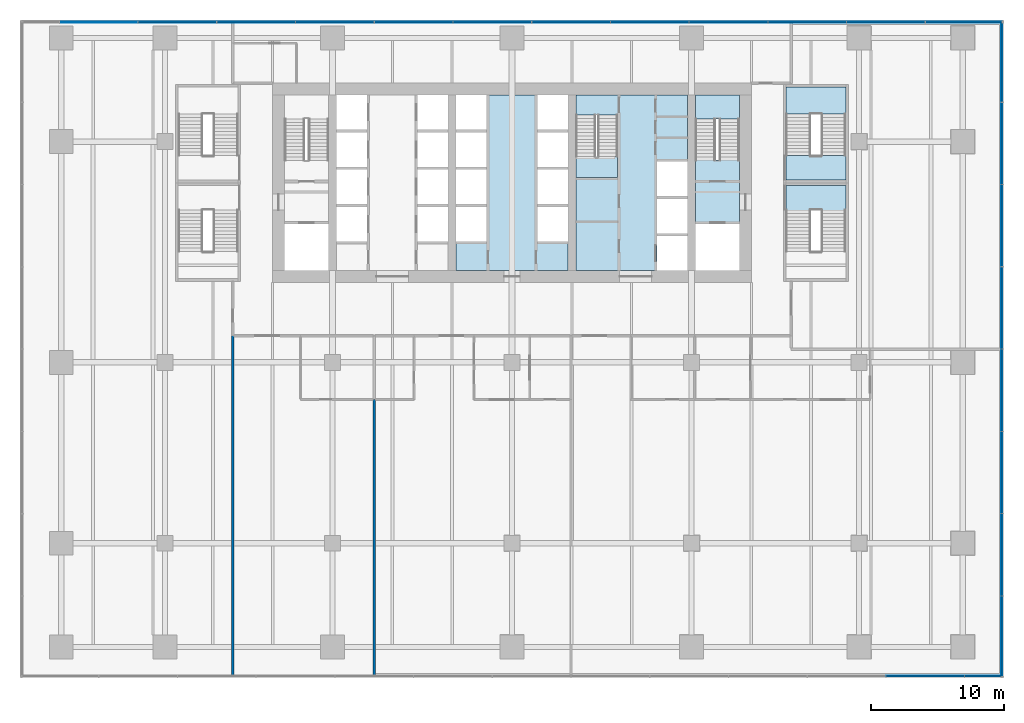
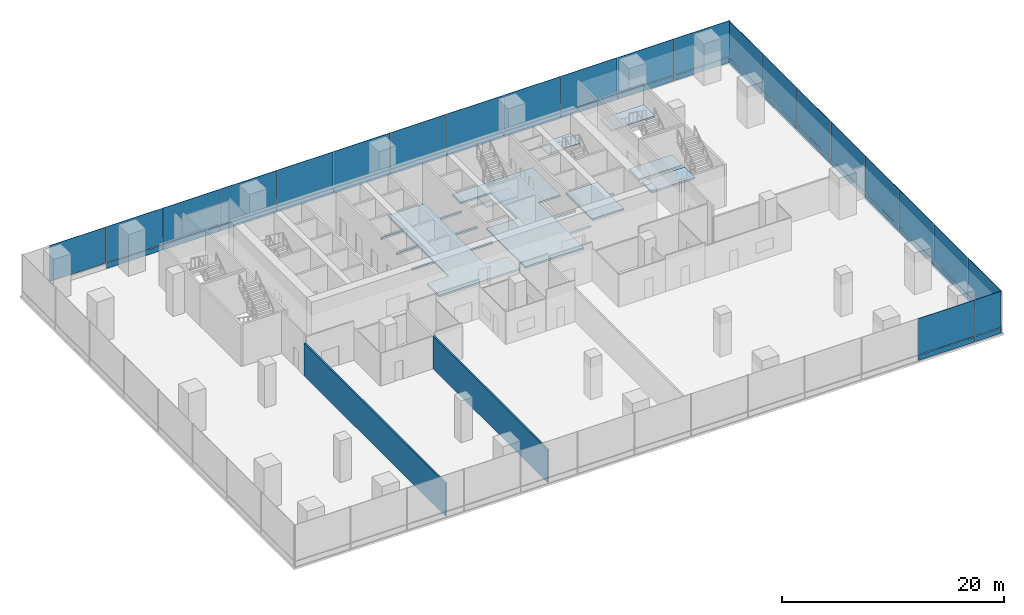
# One storey, part 18 of 29: 43 plates, 8 slabs, 2 walls, 6 elements without a shape of their own.
"""IFC4 building model written with IfcOpenShell, lengths in metres."""

import ifcopenshell
import ifcopenshell.guid

model = None  # the IFC model being written
_history = None  # IfcOwnerHistory: only IFC2X3 demands one
_inside = {}  # id of a spatial element -> (the spatial element, [elements in it])
_under = {}  # id of a project, library or spatial element -> (it, [spatial elements below it])
_declared = {}  # id of a project -> (the project, [libraries it declares])
_typed = {}  # id of a type object -> (the type object, [elements of that type])
_made_of = {}  # id of a material, layer set ... -> (it, [elements and type objects made of it])


def new_model(schema):
    """Start an empty IFC model of exactly this schema.

    Asked for "IFC4X3", IfcOpenShell would pick the latest addendum, in which some entities
    have other attributes; the version numbers below select the first issue.
    IFC2X3 requires an IfcOwnerHistory on every rooted entity: one is made here for all.
    """
    global model, _history
    if schema == "IFC4X3":
        model = ifcopenshell.file(schema_version=(4, 3, 0, 0))
    else:
        model = ifcopenshell.file(schema=schema)
    _inside.clear()
    _under.clear()
    _declared.clear()
    _typed.clear()
    _made_of.clear()
    _history = None
    if model.schema == "IFC2X3":
        org = make("IfcOrganization", Name="unknown")
        user = make(
            "IfcPersonAndOrganization",
            ThePerson=make("IfcPerson", FamilyName="unknown"),
            TheOrganization=org,
        )
        app = make(
            "IfcApplication",
            ApplicationDeveloper=org,
            Version="unknown",
            ApplicationFullName="unknown",
            ApplicationIdentifier="unknown",
        )
        _history = make(
            "IfcOwnerHistory",
            OwningUser=user,
            OwningApplication=app,
            ChangeAction="ADDED",
            CreationDate=0,
        )
    return model


def make(cls, **values):
    """One entity of the class cls with the attributes given. An attribute that is None is left unset."""
    return model.create_entity(
        cls, **{name: value for name, value in values.items() if value is not None}
    )


def rooted(cls, **values):
    """An entity with a GlobalId (a new one), such as an element, a storey or a relation."""
    return make(cls, GlobalId=ifcopenshell.guid.new(), OwnerHistory=_history, **values)


def si_unit(unit_type, name, prefix=None):
    """IfcSIUnit, for example si_unit("LENGTHUNIT", "METRE", prefix="MILLI")."""
    return make("IfcSIUnit", UnitType=unit_type, Prefix=prefix, Name=name)


def assignment(units):
    """IfcUnitAssignment: the units of a project."""
    return None if units is None else make("IfcUnitAssignment", Units=units)


def point(xyz):
    """IfcCartesianPoint."""
    return None if xyz is None else make("IfcCartesianPoint", Coordinates=xyz)


def direction(xyz):
    """IfcDirection."""
    return None if xyz is None else make("IfcDirection", DirectionRatios=xyz)


def frame(location, z_axis=None, x_axis=None):
    """IfcAxis2Placement3D, a coordinate frame: its origin and axes. An axis left out is left unset."""
    return make(
        "IfcAxis2Placement3D",
        Location=point(location),
        Axis=direction(z_axis),
        RefDirection=direction(x_axis),
    )


def frame_2d(location, x_axis=None):
    """IfcAxis2Placement2D, a coordinate frame in the plane: its origin and x axis."""
    return make(
        "IfcAxis2Placement2D", Location=point(location), RefDirection=direction(x_axis)
    )


def origin():
    """The frame at (0, 0, 0) with its axes left unset."""
    return frame((0.0, 0.0, 0.0))


def origin_2d():
    """The frame at (0, 0) in the plane with its x axis left unset."""
    return frame_2d((0.0, 0.0))


def place(relative_to, where):
    """IfcLocalPlacement: puts the frame where relative to a parent placement (None: the world)."""
    return make(
        "IfcLocalPlacement", PlacementRelTo=relative_to, RelativePlacement=where
    )


def context(
    kind, dimensions, precision=None, world=None, true_north=None, identifier=None
):
    """IfcGeometricRepresentationContext, for example the 3D "Model" context."""
    return make(
        "IfcGeometricRepresentationContext",
        ContextIdentifier=identifier,
        ContextType=kind,
        CoordinateSpaceDimension=dimensions,
        Precision=precision,
        WorldCoordinateSystem=world,
        TrueNorth=true_north,
    )


def subcontext(parent, identifier, kind, view, scale=None):
    """IfcGeometricRepresentationSubContext, for example "Body" below "Model"."""
    return make(
        "IfcGeometricRepresentationSubContext",
        ContextIdentifier=identifier,
        ContextType=kind,
        ParentContext=parent,
        TargetScale=scale,
        TargetView=view,
    )


def project(units=None, contexts=None):
    """IfcProject with its units and contexts."""
    return rooted(
        "IfcProject",
        Name="project",
        RepresentationContexts=contexts,
        UnitsInContext=assignment(units),
    )


def spatial(cls, under=None, at=None, **own):
    """A site, building, storey or space (cls), placed at a placement, below another one or the project."""
    s = rooted(cls, ObjectPlacement=at, **own)
    if under is not None:
        _under.setdefault(under.id(), (under, []))[1].append(s)
    return s


def polyline(points):
    """IfcPolyline through the points."""
    return make("IfcPolyline", Points=[point(p) for p in points])


def profile(cls, at=None, kind="AREA", **sizes):
    """A parametric profile (cls). Its sizes go by their IFC names, for example OverallWidth=200.0."""
    return make(cls, ProfileType=kind, Position=at, **sizes)


def rectangle(**sizes):
    """IfcRectangleProfileDef."""
    return profile("IfcRectangleProfileDef", **sizes)


def outline(outer, holes=None, kind="AREA"):
    """IfcArbitraryClosedProfileDef: a profile drawn as a closed curve; with holes, ...WithVoids."""
    if holes is None:
        return make("IfcArbitraryClosedProfileDef", ProfileType=kind, OuterCurve=outer)
    return make(
        "IfcArbitraryProfileDefWithVoids",
        ProfileType=kind,
        OuterCurve=outer,
        InnerCurves=holes,
    )


def extrude(swept, where, along, depth):
    """IfcExtrudedAreaSolid: the profile swept, set in the frame where, extruded along a direction by depth."""
    return make(
        "IfcExtrudedAreaSolid",
        SweptArea=swept,
        Position=where,
        ExtrudedDirection=direction(along),
        Depth=depth,
    )


def shape(context_of_items, identifier, shape_type, items):
    """IfcShapeRepresentation: the items that make up one representation, for example the "Body"."""
    return make(
        "IfcShapeRepresentation",
        ContextOfItems=context_of_items,
        RepresentationIdentifier=identifier,
        RepresentationType=shape_type,
        Items=items,
    )


def material(Name=None, Category=None):
    """IfcMaterial."""
    return make("IfcMaterial", Name=Name, Category=Category)


def layer(
    of_material, thickness, ventilated=None, Name=None, Category=None, Priority=None
):
    """IfcMaterialLayer: one layer of a wall or slab, of a material (None: an air gap)."""
    return make(
        "IfcMaterialLayer",
        Material=of_material,
        LayerThickness=thickness,
        IsVentilated=ventilated,
        Name=Name,
        Category=Category,
        Priority=Priority,
    )


def layer_set(layers, Name=None):
    """IfcMaterialLayerSet."""
    return make("IfcMaterialLayerSet", MaterialLayers=layers, LayerSetName=Name)


def made_of(thing, what):
    """Note that an element or type object is made of a material, layer set ...; save() writes the relation."""
    if what is not None:
        _made_of.setdefault(what.id(), (what, []))[1].append(thing)
    return thing


def type_object(cls, material=None, **own):
    """A type object (cls), such as IfcWallType, which elements share."""
    return made_of(rooted(cls, **own), material)


def element(
    cls,
    number,
    at=None,
    inside=None,
    cuts=None,
    type_object=None,
    material=None,
    context=None,
    identifier="Body",
    shape_type=None,
    held_by="IfcProductDefinitionShape",
    body=None,
    shapes=None,
    **own,
):
    """One element of the class cls, such as IfcWall. Its Tag is "e" and its number.

    at: its placement. inside: the storey or other place that contains it. cuts: it is an
    opening in that element (IfcRelVoidsElement). A single representation is given by context,
    identifier, shape_type and body (its items); several are given by shapes. held_by: the class
    of the entity that holds the representations. save() writes the other relations.
    """
    e = rooted(cls, Tag="e%d" % number, ObjectPlacement=at, **own)
    if body is not None:
        shapes = [shape(context, identifier, shape_type, body)]
    if shapes is not None:
        e.Representation = make(held_by, Representations=shapes)
    if inside is not None:
        _inside.setdefault(inside.id(), (inside, []))[1].append(e)
    if cuts is not None:
        rooted(
            "IfcRelVoidsElement", RelatingBuildingElement=cuts, RelatedOpeningElement=e
        )
    if type_object is not None:
        _typed.setdefault(type_object.id(), (type_object, []))[1].append(e)
    return made_of(e, material)


def aggregate(whole, parts):
    """IfcRelAggregates: a whole, such as a stair, and the parts it consists of."""
    return rooted("IfcRelAggregates", RelatingObject=whole, RelatedObjects=parts)


def save(model, path):
    """Write the relations noted so far, then the file.

    IfcRelAggregates (storeys below a building ...), IfcRelContainedInSpatialStructure (elements
    in a storey), IfcRelDefinesByType, IfcRelAssociatesMaterial and IfcRelDeclares: one each for
    every whole, place, type object, material and project.
    """
    for whole, parts in _under.values():
        aggregate(whole, parts)
    for where, things in _inside.values():
        rooted(
            "IfcRelContainedInSpatialStructure",
            RelatedElements=things,
            RelatingStructure=where,
        )
    for kind, things in _typed.values():
        rooted("IfcRelDefinesByType", RelatedObjects=things, RelatingType=kind)
    for what, things in _made_of.values():
        rooted("IfcRelAssociatesMaterial", RelatedObjects=things, RelatingMaterial=what)
    for by, libraries in _declared.values():
        rooted("IfcRelDeclares", RelatingContext=by, RelatedDefinitions=libraries)
    model.write(path)


model = new_model("IFC4")

# Units and contexts
model_context = context("Model", 3, precision=1e-05, world=origin(), true_north=direction((0.0, 1.0)))
body_context = subcontext(model_context, "Body", "Model", "MODEL_VIEW")
ifc_project = project(units=[si_unit("LENGTHUNIT", "METRE"), si_unit("AREAUNIT", "SQUARE_METRE"), si_unit("VOLUMEUNIT", "CUBIC_METRE"), si_unit("PLANEANGLEUNIT", "RADIAN"), si_unit("MASSUNIT", "GRAM", prefix="KILO")], contexts=[model_context])

# Site, building, storey
site_placement = place(None, origin())
site = spatial("IfcSite", under=ifc_project, at=site_placement, CompositionType="ELEMENT")
building_placement = place(site_placement, origin())
building = spatial("IfcBuilding", under=site, at=building_placement, Name="Rattan Terrace Tower", CompositionType="ELEMENT")
storey_placement = place(building_placement, frame((0.0, 0.0, 12.60009765625)))
storey = spatial("IfcBuildingStorey", under=building, at=storey_placement, Name="L02", CompositionType="ELEMENT", Elevation=12.60009765625)

# Stair, slab
ifc_material_1 = material(Name="Concrete C40/50", Category="concrete")
stair_type_1 = type_object("IfcStairType", Name="Core exit stair 1500", PredefinedType="HALF_TURN_STAIR", material=ifc_material_1)
stair_1_placement = place(storey_placement, origin())
stair_1 = element("IfcStair", 1, at=stair_1_placement, inside=storey, type_object=stair_type_1, Name="L02 exit stair 2", PredefinedType="HALF_TURN_STAIR")
ifc_material_2 = material(Name="Concrete C40/50", Category="concrete")
ifc_layer_1 = layer(ifc_material_2, 0.199951171875)
ifc_layer_set_1 = layer_set([ifc_layer_1], Name="Core exit stair landing")
slab_type_1 = type_object("IfcSlabType", Name="Core exit stair landing", PredefinedType="LANDING", material=ifc_layer_set_1)
slab_1_placement = place(storey_placement, frame((0.0, 0.0, 2.199951171875)))
slab_1 = element("IfcSlab", 2, at=slab_1_placement, type_object=slab_type_1, Name="S2 landing 1", PredefinedType="LANDING", context=body_context, shape_type="SweptSolid", body=[
    extrude(outline(polyline([(17.10009765625, 4.820068359375), (17.10009765625, 6.60009765625), (13.800048828125, 6.60009765625), (13.800048828125, 4.820068359375), (17.10009765625, 4.820068359375)])), origin(), (0.0, 0.0, 1.0), 0.199951171875),
])
aggregate(stair_1, [slab_1])

stair_2_placement = place(storey_placement, origin())
stair_2 = element("IfcStair", 3, at=stair_2_placement, inside=storey, type_object=stair_type_1, Name="L02 exit stair 3", PredefinedType="HALF_TURN_STAIR")
slab_2_placement = place(storey_placement, frame((0.0, 0.0, 2.199951171875)))
slab_2 = element("IfcSlab", 4, at=slab_2_placement, type_object=slab_type_1, Name="S3 landing 1", PredefinedType="LANDING", context=body_context, shape_type="SweptSolid", body=[
    extrude(outline(polyline([(4.800048828125, 1.97998046875), (4.800048828125, 0.39990234375), (7.949951171875, 0.39990234375), (7.949951171875, 1.97998046875), (4.800048828125, 1.97998046875)])), origin(), (0.0, 0.0, 1.0), 0.199951171875),
])
aggregate(stair_2, [slab_2])

ifc_material_3 = material(Name="Concrete C40/50", Category="concrete")
stair_type_2 = type_object("IfcStairType", Name="Core exit stair 1850", PredefinedType="HALF_TURN_STAIR", material=ifc_material_3)
stair_3_placement = place(storey_placement, origin())
stair_3 = element("IfcStair", 5, at=stair_3_placement, inside=storey, type_object=stair_type_2, Name="L02 exit stair 7", PredefinedType="HALF_TURN_STAIR")
slab_3_placement = place(storey_placement, frame((0.0, 0.0, 2.199951171875)))
slab_3 = element("IfcSlab", 6, at=slab_3_placement, type_object=slab_type_1, Name="S7 landing 1", PredefinedType="LANDING", context=body_context, shape_type="SweptSolid", body=[
    extrude(outline(polyline([(25.10009765625, 5.169921875), (25.10009765625, 7.199951171875), (20.60009765625, 7.199951171875), (20.60009765625, 5.169921875), (25.10009765625, 5.169921875)])), origin(), (0.0, 0.0, 1.0), 0.199951171875),
])
aggregate(stair_3, [slab_3])

# Slabs
ifc_material_4 = material(Name="Concrete C35/45", Category="concrete")
ifc_layer_2 = layer(ifc_material_4, 0.199951171875)
ifc_layer_set_2 = layer_set([ifc_layer_2], Name="Frame composite floor slab 200")
slab_type_2 = type_object("IfcSlabType", Name="Frame composite floor slab 200", PredefinedType="FLOOR", material=ifc_layer_set_2)
slab_4_placement = place(storey_placement, frame((0.0, 0.0, -0.2001953125)))
element("IfcSlab", 7, at=slab_4_placement, inside=storey, type_object=slab_type_2, Name="Floor slab", PredefinedType="FLOOR", context=body_context, shape_type="SweptSolid", body=[
    extrude(outline(polyline([(-4.199951171875, -6.60009765625), (4.199951171875, -6.60009765625), (4.199951171875, -4.39990234375), (1.89990234375, -4.39990234375), (1.89990234375, -1.800048828125), (4.199951171875, -1.800048828125), (4.199951171875, -1.60009765625), (1.89990234375, -1.60009765625), (1.89990234375, 1.0), (4.199951171875, 1.0), (4.199951171875, 1.199951171875), (1.89990234375, 1.199951171875), (1.89990234375, 3.800048828125), (4.199951171875, 3.800048828125), (4.199951171875, 4.0), (1.89990234375, 4.0), (1.89990234375, 6.60009765625), (-1.89990234375, 6.60009765625), (-1.89990234375, 4.0), (-4.199951171875, 4.0), (-4.199951171875, 3.800048828125), (-1.89990234375, 3.800048828125), (-1.89990234375, 1.199951171875), (-4.199951171875, 1.199951171875), (-4.199951171875, 1.0), (-1.89990234375, 1.0), (-1.89990234375, -1.60009765625), (-4.199951171875, -1.60009765625), (-4.199951171875, -1.800048828125), (-1.89990234375, -1.800048828125), (-1.89990234375, -4.39990234375), (-4.199951171875, -4.39990234375), (-4.199951171875, -6.60009765625)])), origin(), (0.0, 0.0, 1.0), 0.2001953125),
])
slab_5_placement = place(storey_placement, frame((0.0, 0.0, -0.2001953125)))
element("IfcSlab", 8, at=slab_5_placement, inside=storey, type_object=slab_type_2, Name="Floor slab", PredefinedType="FLOOR", context=body_context, shape_type="SweptSolid", body=[
    extrude(outline(polyline([(4.800048828125, -6.60009765625), (10.89990234375, -6.60009765625), (10.89990234375, -4.0), (13.199951171875, -4.0), (13.199951171875, -3.800048828125), (10.89990234375, -3.800048828125), (10.89990234375, -1.199951171875), (13.199951171875, -1.199951171875), (13.199951171875, -1.0), (10.89990234375, -1.0), (10.89990234375, 1.60009765625), (13.199951171875, 1.60009765625), (13.199951171875, 6.60009765625), (4.800048828125, 6.60009765625), (4.800048828125, 5.090087890625), (7.949951171875, 5.090087890625), (7.949951171875, 0.39990234375), (4.800048828125, 0.39990234375), (4.800048828125, -6.60009765625)])), origin(), (0.0, 0.0, 1.0), 0.2001953125),
])
slab_6_placement = place(storey_placement, frame((0.0, 0.0, -0.2001953125)))
element("IfcSlab", 9, at=slab_6_placement, inside=storey, type_object=slab_type_2, Name="Floor slab", PredefinedType="FLOOR", context=body_context, shape_type="SweptSolid", body=[
    extrude(outline(polyline([(17.10009765625, -3.10009765625), (17.10009765625, 1.7099609375), (13.800048828125, 1.7099609375), (13.800048828125, -3.10009765625), (17.10009765625, -3.10009765625)])), origin(), (0.0, 0.0, 1.0), 0.2001953125),
])
slab_7_placement = place(storey_placement, frame((0.0, 0.0, -0.2001953125)))
element("IfcSlab", 10, at=slab_7_placement, inside=storey, type_object=slab_type_2, Name="Floor slab", PredefinedType="FLOOR", context=body_context, shape_type="SweptSolid", body=[
    extrude(outline(polyline([(20.60009765625, -0.199951171875), (20.60009765625, -2.06005859375), (25.10009765625, -2.06005859375), (25.10009765625, -0.199951171875), (20.60009765625, -0.199951171875)])), origin(), (0.0, 0.0, 1.0), 0.2001953125),
])
slab_8_placement = place(storey_placement, frame((0.0, 0.0, -0.2001953125)))
element("IfcSlab", 11, at=slab_8_placement, inside=storey, type_object=slab_type_2, Name="Floor slab", PredefinedType="FLOOR", context=body_context, shape_type="SweptSolid", body=[
    extrude(outline(polyline([(20.60009765625, 0.199951171875), (25.10009765625, 0.199951171875), (25.10009765625, 2.06005859375), (20.60009765625, 2.06005859375), (20.60009765625, 0.199951171875)])), origin(), (0.0, 0.0, 1.0), 0.2001953125),
])

# Curtain wall, plates
ifc_material_5 = material(Name="Aluminium and glass", Category="aluminium")
ifc_layer_3 = layer(ifc_material_5, 0.1201171875)
ifc_layer_set_3 = layer_set([ifc_layer_3], Name="Station Storefront Curtain Wall")
curtain_wall_type = type_object("IfcCurtainWallType", Name="Station Storefront Curtain Wall", PredefinedType="NOTDEFINED", material=ifc_layer_set_3)
curtain_wall_1_placement = place(storey_placement, origin())
curtain_wall_1 = element("IfcCurtainWall", 12, at=curtain_wall_1_placement, inside=storey, type_object=curtain_wall_type, Name="Storefront curtain wall L02-1", PredefinedType="NOTDEFINED")
ifc_material_6 = material(Name="Granite bulkhead panel", Category="masonry")
ifc_layer_4 = layer(ifc_material_6, 0.110107421875)
ifc_layer_set_4 = layer_set([ifc_layer_4], Name="Storefront CW Stone Bulkhead Panel")
plate_type_1 = type_object("IfcPlateType", Name="Storefront CW Stone Bulkhead Panel", PredefinedType="CURTAIN_PANEL", material=ifc_layer_set_4)
plate_1_placement = place(storey_placement, frame((36.830078125, -34.08837890625, 0.0), z_axis=(0.0, 0.0, 1.0), x_axis=(0.0, 1.0, 0.0)))
plate_1 = element("IfcPlate", 13, at=plate_1_placement, type_object=plate_type_1, Name="Panel cwl-L02-001.1.1", PredefinedType="CURTAIN_PANEL", context=body_context, shape_type="SweptSolid", body=[
    extrude(rectangle(XDim=6.0029296875, YDim=0.110107421875, at=origin_2d()), origin(), (0.0, 0.0, 1.0), 0.574951171875),
])
plate_2_placement = place(storey_placement, frame((36.830078125, -27.968017578125, 0.0), z_axis=(0.0, 0.0, 1.0), x_axis=(0.0, 1.0, 0.0)))
plate_2 = element("IfcPlate", 14, at=plate_2_placement, type_object=plate_type_1, Name="Panel cwl-L02-001.2.1", PredefinedType="CURTAIN_PANEL", context=body_context, shape_type="SweptSolid", body=[
    extrude(rectangle(XDim=6.137939453125, YDim=0.110107421875, at=origin_2d()), origin(), (0.0, 0.0, 1.0), 0.574951171875),
])
plate_3_placement = place(storey_placement, frame((36.830078125, -21.780029296875, 0.0), z_axis=(0.0, 0.0, 1.0), x_axis=(0.0, 1.0, 0.0)))
plate_3 = element("IfcPlate", 15, at=plate_3_placement, type_object=plate_type_1, Name="Panel cwl-L02-001.3.1", PredefinedType="CURTAIN_PANEL", context=body_context, shape_type="SweptSolid", body=[
    extrude(rectangle(XDim=6.137939453125, YDim=0.110107421875, at=origin_2d()), origin(), (0.0, 0.0, 1.0), 0.574951171875),
])
plate_4_placement = place(storey_placement, frame((36.830078125, -15.592041015625, 0.0), z_axis=(0.0, 0.0, 1.0), x_axis=(0.0, 1.0, 0.0)))
plate_4 = element("IfcPlate", 16, at=plate_4_placement, type_object=plate_type_1, Name="Panel cwl-L02-001.4.1", PredefinedType="CURTAIN_PANEL", context=body_context, shape_type="SweptSolid", body=[
    extrude(rectangle(XDim=6.137939453125, YDim=0.110107421875, at=origin_2d()), origin(), (0.0, 0.0, 1.0), 0.574951171875),
])
plate_5_placement = place(storey_placement, frame((36.830078125, -9.404052734375, 0.0), z_axis=(0.0, 0.0, 1.0), x_axis=(0.0, 1.0, 0.0)))
plate_5 = element("IfcPlate", 17, at=plate_5_placement, type_object=plate_type_1, Name="Panel cwl-L02-001.5.1", PredefinedType="CURTAIN_PANEL", context=body_context, shape_type="SweptSolid", body=[
    extrude(rectangle(XDim=6.137939453125, YDim=0.110107421875, at=origin_2d()), origin(), (0.0, 0.0, 1.0), 0.574951171875),
])
plate_6_placement = place(storey_placement, frame((36.830078125, -3.216064453125, 0.0), z_axis=(0.0, 0.0, 1.0), x_axis=(0.0, 1.0, 0.0)))
plate_6 = element("IfcPlate", 18, at=plate_6_placement, type_object=plate_type_1, Name="Panel cwl-L02-001.6.1", PredefinedType="CURTAIN_PANEL", context=body_context, shape_type="SweptSolid", body=[
    extrude(rectangle(XDim=6.137939453125, YDim=0.110107421875, at=origin_2d()), origin(), (0.0, 0.0, 1.0), 0.574951171875),
])
plate_7_placement = place(storey_placement, frame((36.830078125, 2.971923828125, 0.0), z_axis=(0.0, 0.0, 1.0), x_axis=(0.0, 1.0, 0.0)))
plate_7 = element("IfcPlate", 19, at=plate_7_placement, type_object=plate_type_1, Name="Panel cwl-L02-001.7.1", PredefinedType="CURTAIN_PANEL", context=body_context, shape_type="SweptSolid", body=[
    extrude(rectangle(XDim=6.137939453125, YDim=0.110107421875, at=origin_2d()), origin(), (0.0, 0.0, 1.0), 0.574951171875),
])
plate_8_placement = place(storey_placement, frame((36.830078125, 9.055419921875, 0.0), z_axis=(0.0, 0.0, 1.0), x_axis=(0.0, 1.0, 0.0)))
plate_8 = element("IfcPlate", 20, at=plate_8_placement, type_object=plate_type_1, Name="Panel cwl-L02-001.8.1", PredefinedType="CURTAIN_PANEL", context=body_context, shape_type="SweptSolid", body=[
    extrude(rectangle(XDim=5.928955078125, YDim=0.110107421875, at=origin_2d()), origin(), (0.0, 0.0, 1.0), 0.574951171875),
])

curtain_wall_2_placement = place(storey_placement, origin())
curtain_wall_2 = element("IfcCurtainWall", 21, at=curtain_wall_2_placement, inside=storey, type_object=curtain_wall_type, Name="Storefront curtain wall L02-2", PredefinedType="NOTDEFINED")
plate_9_placement = place(storey_placement, frame((33.972412109375, 12.080078125, 0.0), z_axis=(0.0, 0.0, 1.0), x_axis=(-1.0, 0.0, 0.0)))
plate_9 = element("IfcPlate", 22, at=plate_9_placement, type_object=plate_type_1, Name="Panel cwl-L02-002.1.1", PredefinedType="CURTAIN_PANEL", context=body_context, shape_type="SweptSolid", body=[
    extrude(rectangle(XDim=5.735107421875, YDim=0.110107421875, at=origin_2d()), origin(), (0.0, 0.0, 1.0), 0.574951171875),
])
plate_10_placement = place(storey_placement, frame((28.1201171875, 12.080078125, 0.0), z_axis=(0.0, 0.0, 1.0), x_axis=(-1.0, 0.0, 0.0)))
plate_10 = element("IfcPlate", 23, at=plate_10_placement, type_object=plate_type_1, Name="Panel cwl-L02-002.2.1", PredefinedType="CURTAIN_PANEL", context=body_context, shape_type="SweptSolid", body=[
    extrude(rectangle(XDim=5.8701171875, YDim=0.110107421875, at=origin_2d()), origin(), (0.0, 0.0, 1.0), 0.574951171875),
])
plate_11_placement = place(storey_placement, frame((22.199951171875, 12.080078125, 0.0), z_axis=(0.0, 0.0, 1.0), x_axis=(-1.0, 0.0, 0.0)))
plate_11 = element("IfcPlate", 24, at=plate_11_placement, type_object=plate_type_1, Name="Panel cwl-L02-002.3.1", PredefinedType="CURTAIN_PANEL", context=body_context, shape_type="SweptSolid", body=[
    extrude(rectangle(XDim=5.8701171875, YDim=0.110107421875, at=origin_2d()), origin(), (0.0, 0.0, 1.0), 0.574951171875),
])
plate_12_placement = place(storey_placement, frame((16.280029296875, 12.080078125, 0.0), z_axis=(0.0, 0.0, 1.0), x_axis=(-1.0, 0.0, 0.0)))
plate_12 = element("IfcPlate", 25, at=plate_12_placement, type_object=plate_type_1, Name="Panel cwl-L02-002.4.1", PredefinedType="CURTAIN_PANEL", context=body_context, shape_type="SweptSolid", body=[
    extrude(rectangle(XDim=5.8701171875, YDim=0.110107421875, at=origin_2d()), origin(), (0.0, 0.0, 1.0), 0.574951171875),
])
plate_13_placement = place(storey_placement, frame((10.360107421875, 12.080078125, 0.0), z_axis=(0.0, 0.0, 1.0), x_axis=(-1.0, 0.0, 0.0)))
plate_13 = element("IfcPlate", 26, at=plate_13_placement, type_object=plate_type_1, Name="Panel cwl-L02-002.5.1", PredefinedType="CURTAIN_PANEL", context=body_context, shape_type="SweptSolid", body=[
    extrude(rectangle(XDim=5.8701171875, YDim=0.110107421875, at=origin_2d()), origin(), (0.0, 0.0, 1.0), 0.574951171875),
])
plate_14_placement = place(storey_placement, frame((4.43994140625, 12.080078125, 0.0), z_axis=(0.0, 0.0, 1.0), x_axis=(-1.0, 0.0, 0.0)))
plate_14 = element("IfcPlate", 27, at=plate_14_placement, type_object=plate_type_1, Name="Panel cwl-L02-002.6.1", PredefinedType="CURTAIN_PANEL", context=body_context, shape_type="SweptSolid", body=[
    extrude(rectangle(XDim=5.8701171875, YDim=0.110107421875, at=origin_2d()), origin(), (0.0, 0.0, 1.0), 0.574951171875),
])
plate_15_placement = place(storey_placement, frame((-1.47998046875, 12.080078125, 0.0), z_axis=(0.0, 0.0, 1.0), x_axis=(-1.0, 0.0, 0.0)))
plate_15 = element("IfcPlate", 28, at=plate_15_placement, type_object=plate_type_1, Name="Panel cwl-L02-002.7.1", PredefinedType="CURTAIN_PANEL", context=body_context, shape_type="SweptSolid", body=[
    extrude(rectangle(XDim=5.8701171875, YDim=0.110107421875, at=origin_2d()), origin(), (0.0, 0.0, 1.0), 0.574951171875),
])
plate_16_placement = place(storey_placement, frame((-7.39990234375, 12.080078125, 0.0), z_axis=(0.0, 0.0, 1.0), x_axis=(-1.0, 0.0, 0.0)))
plate_16 = element("IfcPlate", 29, at=plate_16_placement, type_object=plate_type_1, Name="Panel cwl-L02-002.8.1", PredefinedType="CURTAIN_PANEL", context=body_context, shape_type="SweptSolid", body=[
    extrude(rectangle(XDim=5.8701171875, YDim=0.110107421875, at=origin_2d()), origin(), (0.0, 0.0, 1.0), 0.574951171875),
])
plate_17_placement = place(storey_placement, frame((-13.320068359375, 12.080078125, 0.0), z_axis=(0.0, 0.0, 1.0), x_axis=(-1.0, 0.0, 0.0)))
plate_17 = element("IfcPlate", 30, at=plate_17_placement, type_object=plate_type_1, Name="Panel cwl-L02-002.9.1", PredefinedType="CURTAIN_PANEL", context=body_context, shape_type="SweptSolid", body=[
    extrude(rectangle(XDim=5.8701171875, YDim=0.110107421875, at=origin_2d()), origin(), (0.0, 0.0, 1.0), 0.574951171875),
])
plate_18_placement = place(storey_placement, frame((-19.239990234375, 12.080078125, 0.0), z_axis=(0.0, 0.0, 1.0), x_axis=(-1.0, 0.0, 0.0)))
plate_18 = element("IfcPlate", 31, at=plate_18_placement, type_object=plate_type_1, Name="Panel cwl-L02-002.10.1", PredefinedType="CURTAIN_PANEL", context=body_context, shape_type="SweptSolid", body=[
    extrude(rectangle(XDim=5.8701171875, YDim=0.110107421875, at=origin_2d()), origin(), (0.0, 0.0, 1.0), 0.574951171875),
])
plate_19_placement = place(storey_placement, frame((-25.159912109375, 12.080078125, 0.0), z_axis=(0.0, 0.0, 1.0), x_axis=(-1.0, 0.0, 0.0)))
plate_19 = element("IfcPlate", 32, at=plate_19_placement, type_object=plate_type_1, Name="Panel cwl-L02-002.11.1", PredefinedType="CURTAIN_PANEL", context=body_context, shape_type="SweptSolid", body=[
    extrude(rectangle(XDim=5.8701171875, YDim=0.110107421875, at=origin_2d()), origin(), (0.0, 0.0, 1.0), 0.574951171875),
])

curtain_wall_3_placement = place(storey_placement, origin())
curtain_wall_3 = element("IfcCurtainWall", 33, at=curtain_wall_3_placement, inside=storey, type_object=curtain_wall_type, Name="Storefront curtain wall L02-4", PredefinedType="NOTDEFINED")
plate_20_placement = place(storey_placement, frame((31.080078125, -37.080078125, 0.0), z_axis=(0.0, 0.0, 1.0), x_axis=(1.0, 0.0, 0.0)))
plate_20 = element("IfcPlate", 34, at=plate_20_placement, type_object=plate_type_1, Name="Panel cwl-L02-004.12.1", PredefinedType="CURTAIN_PANEL", context=body_context, shape_type="SweptSolid", body=[
    extrude(rectangle(XDim=5.8701171875, YDim=0.110107421875, at=origin_2d()), origin(), (0.0, 0.0, 1.0), 0.574951171875),
])
plate_21_placement = place(storey_placement, frame((35.41748046875, -37.080078125, 0.0), z_axis=(0.0, 0.0, 1.0), x_axis=(1.0, 0.0, 0.0)))
plate_21 = element("IfcPlate", 35, at=plate_21_placement, type_object=plate_type_1, Name="Panel cwl-L02-004.13.1", PredefinedType="CURTAIN_PANEL", context=body_context, shape_type="SweptSolid", body=[
    extrude(rectangle(XDim=2.705078125, YDim=0.110107421875, at=origin_2d()), origin(), (0.0, 0.0, 1.0), 0.574951171875),
])

# Plate
ifc_material_7 = material(Name="Clear toughened glass", Category="glass")
ifc_layer_5 = layer(ifc_material_7, 0.0439453125)
ifc_layer_set_5 = layer_set([ifc_layer_5], Name="Storefront CW Vision Panel")
plate_type_2 = type_object("IfcPlateType", Name="Storefront CW Vision Panel", PredefinedType="CURTAIN_PANEL", material=ifc_layer_set_5)
plate_22_placement = place(storey_placement, frame((36.830078125, -34.08837890625, 0.624755859375), z_axis=(0.0, 0.0, 1.0), x_axis=(0.0, 1.0, 0.0)))
plate_22 = element("IfcPlate", 36, at=plate_22_placement, type_object=plate_type_2, Name="Panel cwl-L02-001.1.2", PredefinedType="CURTAIN_PANEL", context=body_context, shape_type="SweptSolid", body=[
    extrude(rectangle(XDim=6.0029296875, YDim=0.0439453125, at=origin_2d()), origin(), (0.0, 0.0, 1.0), 3.97509765625),
])

plate_23_placement = place(storey_placement, frame((36.830078125, -27.968017578125, 0.624755859375), z_axis=(0.0, 0.0, 1.0), x_axis=(0.0, 1.0, 0.0)))
plate_23 = element("IfcPlate", 37, at=plate_23_placement, type_object=plate_type_2, Name="Panel cwl-L02-001.2.2", PredefinedType="CURTAIN_PANEL", context=body_context, shape_type="SweptSolid", body=[
    extrude(rectangle(XDim=6.137939453125, YDim=0.0439453125, at=origin_2d()), origin(), (0.0, 0.0, 1.0), 3.97509765625),
])

plate_24_placement = place(storey_placement, frame((36.830078125, -21.780029296875, 0.624755859375), z_axis=(0.0, 0.0, 1.0), x_axis=(0.0, 1.0, 0.0)))
plate_24 = element("IfcPlate", 38, at=plate_24_placement, type_object=plate_type_2, Name="Panel cwl-L02-001.3.2", PredefinedType="CURTAIN_PANEL", context=body_context, shape_type="SweptSolid", body=[
    extrude(rectangle(XDim=6.137939453125, YDim=0.0439453125, at=origin_2d()), origin(), (0.0, 0.0, 1.0), 3.97509765625),
])

plate_25_placement = place(storey_placement, frame((36.830078125, -15.592041015625, 0.624755859375), z_axis=(0.0, 0.0, 1.0), x_axis=(0.0, 1.0, 0.0)))
plate_25 = element("IfcPlate", 39, at=plate_25_placement, type_object=plate_type_2, Name="Panel cwl-L02-001.4.2", PredefinedType="CURTAIN_PANEL", context=body_context, shape_type="SweptSolid", body=[
    extrude(rectangle(XDim=6.137939453125, YDim=0.0439453125, at=origin_2d()), origin(), (0.0, 0.0, 1.0), 3.97509765625),
])

plate_26_placement = place(storey_placement, frame((36.830078125, -9.404052734375, 0.624755859375), z_axis=(0.0, 0.0, 1.0), x_axis=(0.0, 1.0, 0.0)))
plate_26 = element("IfcPlate", 40, at=plate_26_placement, type_object=plate_type_2, Name="Panel cwl-L02-001.5.2", PredefinedType="CURTAIN_PANEL", context=body_context, shape_type="SweptSolid", body=[
    extrude(rectangle(XDim=6.137939453125, YDim=0.0439453125, at=origin_2d()), origin(), (0.0, 0.0, 1.0), 3.97509765625),
])

plate_27_placement = place(storey_placement, frame((36.830078125, -3.216064453125, 0.624755859375), z_axis=(0.0, 0.0, 1.0), x_axis=(0.0, 1.0, 0.0)))
plate_27 = element("IfcPlate", 41, at=plate_27_placement, type_object=plate_type_2, Name="Panel cwl-L02-001.6.2", PredefinedType="CURTAIN_PANEL", context=body_context, shape_type="SweptSolid", body=[
    extrude(rectangle(XDim=6.137939453125, YDim=0.0439453125, at=origin_2d()), origin(), (0.0, 0.0, 1.0), 3.97509765625),
])

plate_28_placement = place(storey_placement, frame((36.830078125, 2.971923828125, 0.624755859375), z_axis=(0.0, 0.0, 1.0), x_axis=(0.0, 1.0, 0.0)))
plate_28 = element("IfcPlate", 42, at=plate_28_placement, type_object=plate_type_2, Name="Panel cwl-L02-001.7.2", PredefinedType="CURTAIN_PANEL", context=body_context, shape_type="SweptSolid", body=[
    extrude(rectangle(XDim=6.137939453125, YDim=0.0439453125, at=origin_2d()), origin(), (0.0, 0.0, 1.0), 3.97509765625),
])

plate_29_placement = place(storey_placement, frame((36.830078125, 9.055419921875, 0.624755859375), z_axis=(0.0, 0.0, 1.0), x_axis=(0.0, 1.0, 0.0)))
plate_29 = element("IfcPlate", 43, at=plate_29_placement, type_object=plate_type_2, Name="Panel cwl-L02-001.8.2", PredefinedType="CURTAIN_PANEL", context=body_context, shape_type="SweptSolid", body=[
    extrude(rectangle(XDim=5.928955078125, YDim=0.0439453125, at=origin_2d()), origin(), (0.0, 0.0, 1.0), 3.97509765625),
])

aggregate(curtain_wall_1, [plate_1, plate_22, plate_2, plate_23, plate_3, plate_24, plate_4, plate_25, plate_5, plate_26, plate_6, plate_27, plate_7, plate_28, plate_8, plate_29])

plate_30_placement = place(storey_placement, frame((33.972412109375, 12.080078125, 0.624755859375), z_axis=(0.0, 0.0, 1.0), x_axis=(-1.0, 0.0, 0.0)))
plate_30 = element("IfcPlate", 44, at=plate_30_placement, type_object=plate_type_2, Name="Panel cwl-L02-002.1.2", PredefinedType="CURTAIN_PANEL", context=body_context, shape_type="SweptSolid", body=[
    extrude(rectangle(XDim=5.735107421875, YDim=0.0439453125, at=origin_2d()), origin(), (0.0, 0.0, 1.0), 3.97509765625),
])

plate_31_placement = place(storey_placement, frame((28.1201171875, 12.080078125, 0.624755859375), z_axis=(0.0, 0.0, 1.0), x_axis=(-1.0, 0.0, 0.0)))
plate_31 = element("IfcPlate", 45, at=plate_31_placement, type_object=plate_type_2, Name="Panel cwl-L02-002.2.2", PredefinedType="CURTAIN_PANEL", context=body_context, shape_type="SweptSolid", body=[
    extrude(rectangle(XDim=5.8701171875, YDim=0.0439453125, at=origin_2d()), origin(), (0.0, 0.0, 1.0), 3.97509765625),
])

plate_32_placement = place(storey_placement, frame((22.199951171875, 12.080078125, 0.624755859375), z_axis=(0.0, 0.0, 1.0), x_axis=(-1.0, 0.0, 0.0)))
plate_32 = element("IfcPlate", 46, at=plate_32_placement, type_object=plate_type_2, Name="Panel cwl-L02-002.3.2", PredefinedType="CURTAIN_PANEL", context=body_context, shape_type="SweptSolid", body=[
    extrude(rectangle(XDim=5.8701171875, YDim=0.0439453125, at=origin_2d()), origin(), (0.0, 0.0, 1.0), 3.97509765625),
])

plate_33_placement = place(storey_placement, frame((16.280029296875, 12.080078125, 0.624755859375), z_axis=(0.0, 0.0, 1.0), x_axis=(-1.0, 0.0, 0.0)))
plate_33 = element("IfcPlate", 47, at=plate_33_placement, type_object=plate_type_2, Name="Panel cwl-L02-002.4.2", PredefinedType="CURTAIN_PANEL", context=body_context, shape_type="SweptSolid", body=[
    extrude(rectangle(XDim=5.8701171875, YDim=0.0439453125, at=origin_2d()), origin(), (0.0, 0.0, 1.0), 3.97509765625),
])

plate_34_placement = place(storey_placement, frame((10.360107421875, 12.080078125, 0.624755859375), z_axis=(0.0, 0.0, 1.0), x_axis=(-1.0, 0.0, 0.0)))
plate_34 = element("IfcPlate", 48, at=plate_34_placement, type_object=plate_type_2, Name="Panel cwl-L02-002.5.2", PredefinedType="CURTAIN_PANEL", context=body_context, shape_type="SweptSolid", body=[
    extrude(rectangle(XDim=5.8701171875, YDim=0.0439453125, at=origin_2d()), origin(), (0.0, 0.0, 1.0), 3.97509765625),
])

plate_35_placement = place(storey_placement, frame((4.43994140625, 12.080078125, 0.624755859375), z_axis=(0.0, 0.0, 1.0), x_axis=(-1.0, 0.0, 0.0)))
plate_35 = element("IfcPlate", 49, at=plate_35_placement, type_object=plate_type_2, Name="Panel cwl-L02-002.6.2", PredefinedType="CURTAIN_PANEL", context=body_context, shape_type="SweptSolid", body=[
    extrude(rectangle(XDim=5.8701171875, YDim=0.0439453125, at=origin_2d()), origin(), (0.0, 0.0, 1.0), 3.97509765625),
])

plate_36_placement = place(storey_placement, frame((-1.47998046875, 12.080078125, 0.624755859375), z_axis=(0.0, 0.0, 1.0), x_axis=(-1.0, 0.0, 0.0)))
plate_36 = element("IfcPlate", 50, at=plate_36_placement, type_object=plate_type_2, Name="Panel cwl-L02-002.7.2", PredefinedType="CURTAIN_PANEL", context=body_context, shape_type="SweptSolid", body=[
    extrude(rectangle(XDim=5.8701171875, YDim=0.0439453125, at=origin_2d()), origin(), (0.0, 0.0, 1.0), 3.97509765625),
])

plate_37_placement = place(storey_placement, frame((-7.39990234375, 12.080078125, 0.624755859375), z_axis=(0.0, 0.0, 1.0), x_axis=(-1.0, 0.0, 0.0)))
plate_37 = element("IfcPlate", 51, at=plate_37_placement, type_object=plate_type_2, Name="Panel cwl-L02-002.8.2", PredefinedType="CURTAIN_PANEL", context=body_context, shape_type="SweptSolid", body=[
    extrude(rectangle(XDim=5.8701171875, YDim=0.0439453125, at=origin_2d()), origin(), (0.0, 0.0, 1.0), 3.97509765625),
])

plate_38_placement = place(storey_placement, frame((-13.320068359375, 12.080078125, 0.624755859375), z_axis=(0.0, 0.0, 1.0), x_axis=(-1.0, 0.0, 0.0)))
plate_38 = element("IfcPlate", 52, at=plate_38_placement, type_object=plate_type_2, Name="Panel cwl-L02-002.9.2", PredefinedType="CURTAIN_PANEL", context=body_context, shape_type="SweptSolid", body=[
    extrude(rectangle(XDim=5.8701171875, YDim=0.0439453125, at=origin_2d()), origin(), (0.0, 0.0, 1.0), 3.97509765625),
])

plate_39_placement = place(storey_placement, frame((-19.239990234375, 12.080078125, 0.624755859375), z_axis=(0.0, 0.0, 1.0), x_axis=(-1.0, 0.0, 0.0)))
plate_39 = element("IfcPlate", 53, at=plate_39_placement, type_object=plate_type_2, Name="Panel cwl-L02-002.10.2", PredefinedType="CURTAIN_PANEL", context=body_context, shape_type="SweptSolid", body=[
    extrude(rectangle(XDim=5.8701171875, YDim=0.0439453125, at=origin_2d()), origin(), (0.0, 0.0, 1.0), 3.97509765625),
])

plate_40_placement = place(storey_placement, frame((-25.159912109375, 12.080078125, 0.624755859375), z_axis=(0.0, 0.0, 1.0), x_axis=(-1.0, 0.0, 0.0)))
plate_40 = element("IfcPlate", 54, at=plate_40_placement, type_object=plate_type_2, Name="Panel cwl-L02-002.11.2", PredefinedType="CURTAIN_PANEL", context=body_context, shape_type="SweptSolid", body=[
    extrude(rectangle(XDim=5.8701171875, YDim=0.0439453125, at=origin_2d()), origin(), (0.0, 0.0, 1.0), 3.97509765625),
])

plate_41_placement = place(storey_placement, frame((-31.080078125, 12.080078125, 0.624755859375), z_axis=(0.0, 0.0, 1.0), x_axis=(-1.0, 0.0, 0.0)))
plate_41 = element("IfcPlate", 55, at=plate_41_placement, type_object=plate_type_2, Name="Panel cwl-L02-002.12.2", PredefinedType="CURTAIN_PANEL", context=body_context, shape_type="SweptSolid", body=[
    extrude(rectangle(XDim=5.8701171875, YDim=0.0439453125, at=origin_2d()), origin(), (0.0, 0.0, 1.0), 3.97509765625),
])

aggregate(curtain_wall_2, [plate_9, plate_30, plate_10, plate_31, plate_11, plate_32, plate_12, plate_33, plate_13, plate_34, plate_14, plate_35, plate_15, plate_36, plate_16, plate_37, plate_17, plate_38, plate_18, plate_39, plate_19, plate_40, plate_41])

plate_42_placement = place(storey_placement, frame((31.080078125, -37.080078125, 0.624755859375), z_axis=(0.0, 0.0, 1.0), x_axis=(1.0, 0.0, 0.0)))
plate_42 = element("IfcPlate", 56, at=plate_42_placement, type_object=plate_type_2, Name="Panel cwl-L02-004.12.2", PredefinedType="CURTAIN_PANEL", context=body_context, shape_type="SweptSolid", body=[
    extrude(rectangle(XDim=5.8701171875, YDim=0.0439453125, at=origin_2d()), origin(), (0.0, 0.0, 1.0), 3.97509765625),
])

plate_43_placement = place(storey_placement, frame((35.41748046875, -37.080078125, 0.624755859375), z_axis=(0.0, 0.0, 1.0), x_axis=(1.0, 0.0, 0.0)))
plate_43 = element("IfcPlate", 57, at=plate_43_placement, type_object=plate_type_2, Name="Panel cwl-L02-004.13.2", PredefinedType="CURTAIN_PANEL", context=body_context, shape_type="SweptSolid", body=[
    extrude(rectangle(XDim=2.705078125, YDim=0.0439453125, at=origin_2d()), origin(), (0.0, 0.0, 1.0), 3.97509765625),
])

aggregate(curtain_wall_3, [plate_20, plate_42, plate_21, plate_43])

# Walls
ifc_material_8 = material(Name="Double steel stud acoustic partition, gypsum board, mineral wool, fire rated", Category="steel")
ifc_layer_6 = layer(ifc_material_8, 0.179931640625)
ifc_layer_set_6 = layer_set([ifc_layer_6], Name="Floors Acoustic Party Wall 180")
wall_type = type_object("IfcWallType", Name="Floors Acoustic Party Wall 180", PredefinedType="PARTITIONING", material=ifc_layer_set_6)
wall_1_placement = place(storey_placement, frame((-21.0, -11.47998046875, 0.0), z_axis=(0.0, 0.0, 1.0), x_axis=(0.0, -1.0, 0.0)))
element("IfcWall", 58, at=wall_1_placement, inside=storey, type_object=wall_type, Name="pt-L02-015", PredefinedType="PARTITIONING", context=body_context, shape_type="SweptSolid", body=[
    extrude(rectangle(XDim=25.510009765625, YDim=0.179931640625, at=frame_2d((12.7548828125, 0.0))), origin(), (0.0, 0.0, 1.0), 3.599853515625),
])
wall_2_placement = place(storey_placement, frame((-10.360107421875, -16.300048828125, 0.0), z_axis=(0.0, 0.0, 1.0), x_axis=(0.0, -1.0, 0.0)))
element("IfcWall", 59, at=wall_2_placement, inside=storey, type_object=wall_type, Name="pt-L02-020", PredefinedType="PARTITIONING", context=body_context, shape_type="SweptSolid", body=[
    extrude(rectangle(XDim=20.68994140625, YDim=0.179931640625, at=frame_2d((10.344970703125, 0.0))), origin(), (0.0, 0.0, 1.0), 3.599853515625),
])

save(model, "model.ifc")
